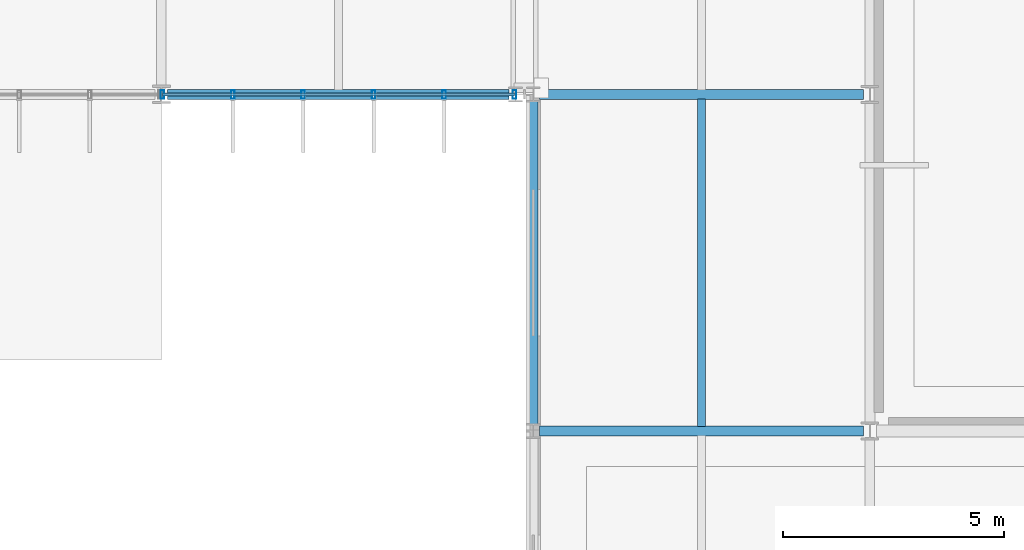
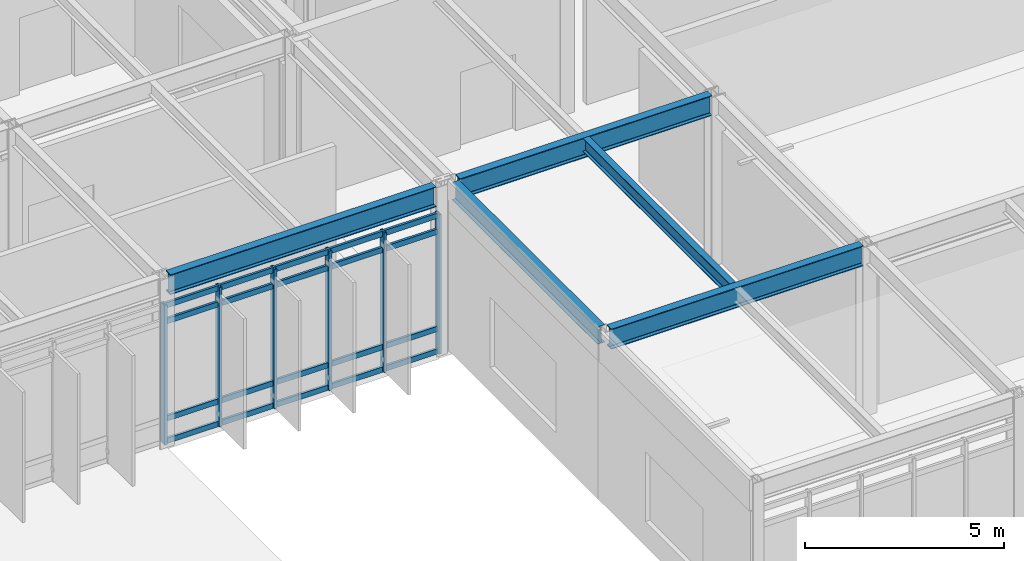
# One storey, part 39 of 94: 10 members, 5 beams, 1 element without a shape of its own.
"""IFC4 building model written with IfcOpenShell, lengths in metres."""

from ifc_helpers import new_model, si_unit, direction, frame, origin, origin_2d, place, context, subcontext, project, spatial, hollow_rectangle, i_section, extrude, material, material_profile, profile_set, type_object, element, aggregate, save


model = new_model("IFC4")

# Units and contexts
model_context = context("Model", 3, precision=1e-05, world=origin(), true_north=direction((0.0, 1.0)))
body_context = subcontext(model_context, "Body", "Model", "MODEL_VIEW")
ifc_project = project(units=[si_unit("LENGTHUNIT", "METRE"), si_unit("AREAUNIT", "SQUARE_METRE"), si_unit("VOLUMEUNIT", "CUBIC_METRE"), si_unit("PLANEANGLEUNIT", "RADIAN"), si_unit("MASSUNIT", "GRAM", prefix="KILO")], contexts=[model_context])

# Site, building, storey
site_placement = place(None, origin())
site = spatial("IfcSite", under=ifc_project, at=site_placement, CompositionType="ELEMENT")
building_placement = place(site_placement, origin())
building = spatial("IfcBuilding", under=site, at=building_placement, Name="Zulena Civic Courthouse", CompositionType="ELEMENT")
storey_placement = place(building_placement, frame((0.0, 0.0, 5.39990234375)))
storey = spatial("IfcBuildingStorey", under=building, at=storey_placement, Name="L01", CompositionType="ELEMENT", Elevation=5.39990234375)

# Curtain wall, members
ifc_material_1 = material(Name="Double-silver low-E laminated solar-control glass", Category="glass")
curtain_wall_type = type_object("IfcCurtainWallType", Name="CW_7952x4280", PredefinedType="USERDEFINED", material=ifc_material_1)
curtain_wall_placement = place(storey_placement, origin())
curtain_wall = element("IfcCurtainWall", 1, at=curtain_wall_placement, inside=storey, type_object=curtain_wall_type, Name="cw:V4:L01:3:0", ObjectType="UNITISED CURTAIN WALL", PredefinedType="USERDEFINED")
ifc_material_2 = material(Name="Bronze anodised thermally broken aluminium AA6063-T6", Category="aluminium")
ifc_material_profile_1 = material_profile(ifc_material_2, hollow_rectangle(XDim=0.080078125, YDim=0.199951171875, WallThickness=0.0048828125, at=origin_2d()), Name="CWM200X80X5")
ifc_profile_set_1 = profile_set([ifc_material_profile_1], Name="Bronze anodised thermally broken aluminium AA6063-T6")
member_type_1 = type_object("IfcMemberType", Name="CWMullion_200x80", PredefinedType="MULLION", material=ifc_profile_set_1)
member_1_placement = place(storey_placement, frame((123.97607421875, 15.199951171875, 0.0), z_axis=(0.0, 0.0, 1.0), x_axis=(1.0, 0.0, 0.0)))
member_1 = element("IfcMember", 2, at=member_1_placement, type_object=member_type_1, Name="cw:V4:L01:3:0:mull:0", PredefinedType="MULLION", context=body_context, shape_type="SweptSolid", body=[
    extrude(hollow_rectangle(XDim=0.080078125, YDim=0.199951171875, WallThickness=0.0048828125, at=origin_2d()), origin(), (0.0, 0.0, 1.0), 4.280029296875),
])
member_2_placement = place(storey_placement, frame((122.385498046875, 15.199951171875, 0.0), z_axis=(0.0, 0.0, 1.0), x_axis=(1.0, 0.0, 0.0)))
member_2 = element("IfcMember", 3, at=member_2_placement, type_object=member_type_1, Name="cw:V4:L01:3:0:mull:1", PredefinedType="MULLION", context=body_context, shape_type="SweptSolid", body=[
    extrude(hollow_rectangle(XDim=0.080078125, YDim=0.199951171875, WallThickness=0.0048828125, at=origin_2d()), origin(), (0.0, 0.0, 1.0), 4.280029296875),
])
member_3_placement = place(storey_placement, frame((120.795166015625, 15.199951171875, 0.0), z_axis=(0.0, 0.0, 1.0), x_axis=(1.0, 0.0, 0.0)))
member_3 = element("IfcMember", 4, at=member_3_placement, type_object=member_type_1, Name="cw:V4:L01:3:0:mull:2", PredefinedType="MULLION", context=body_context, shape_type="SweptSolid", body=[
    extrude(hollow_rectangle(XDim=0.080078125, YDim=0.199951171875, WallThickness=0.0048828125, at=origin_2d()), origin(), (0.0, 0.0, 1.0), 4.280029296875),
])
member_4_placement = place(storey_placement, frame((119.204833984375, 15.199951171875, 0.0), z_axis=(0.0, 0.0, 1.0), x_axis=(1.0, 0.0, 0.0)))
member_4 = element("IfcMember", 5, at=member_4_placement, type_object=member_type_1, Name="cw:V4:L01:3:0:mull:3", PredefinedType="MULLION", context=body_context, shape_type="SweptSolid", body=[
    extrude(hollow_rectangle(XDim=0.080078125, YDim=0.199951171875, WallThickness=0.0048828125, at=origin_2d()), origin(), (0.0, 0.0, 1.0), 4.280029296875),
])
member_5_placement = place(storey_placement, frame((117.614501953125, 15.199951171875, 0.0), z_axis=(0.0, 0.0, 1.0), x_axis=(1.0, 0.0, 0.0)))
member_5 = element("IfcMember", 6, at=member_5_placement, type_object=member_type_1, Name="cw:V4:L01:3:0:mull:4", PredefinedType="MULLION", context=body_context, shape_type="SweptSolid", body=[
    extrude(hollow_rectangle(XDim=0.080078125, YDim=0.199951171875, WallThickness=0.0048828125, at=origin_2d()), origin(), (0.0, 0.0, 1.0), 4.280029296875),
])
member_6_placement = place(storey_placement, frame((116.02392578125, 15.199951171875, 0.0), z_axis=(0.0, 0.0, 1.0), x_axis=(1.0, 0.0, 0.0)))
member_6 = element("IfcMember", 7, at=member_6_placement, type_object=member_type_1, Name="cw:V4:L01:3:0:mull:5", PredefinedType="MULLION", context=body_context, shape_type="SweptSolid", body=[
    extrude(hollow_rectangle(XDim=0.080078125, YDim=0.199951171875, WallThickness=0.0048828125, at=origin_2d()), origin(), (0.0, 0.0, 1.0), 4.280029296875),
])
ifc_material_profile_2 = material_profile(ifc_material_2, hollow_rectangle(XDim=0.070068359375, YDim=0.1650390625, WallThickness=0.00390625, at=origin_2d()), Name="CWT165X70X4")
ifc_profile_set_2 = profile_set([ifc_material_profile_2], Name="Bronze anodised thermally broken aluminium AA6063-T6")
member_type_2 = type_object("IfcMemberType", Name="CWTransom_165x70", PredefinedType="USERDEFINED", material=ifc_profile_set_2)
member_7_placement = place(storey_placement, frame((123.97607421875, 15.199951171875, 0.06005859375), z_axis=(-1.0, 0.0, 0.0), x_axis=(0.0, -1.0, 0.0)))
member_7 = element("IfcMember", 8, at=member_7_placement, type_object=member_type_2, Name="cw:V4:L01:3:0:tran:0", ObjectType="TRANSOM", PredefinedType="USERDEFINED", context=body_context, shape_type="SweptSolid", body=[
    extrude(hollow_rectangle(XDim=0.070068359375, YDim=0.1650390625, WallThickness=0.00390625, at=origin_2d()), origin(), (0.0, 0.0, 1.0), 7.9521484375),
])
member_8_placement = place(storey_placement, frame((123.97607421875, 15.199951171875, 0.75), z_axis=(-1.0, 0.0, 0.0), x_axis=(0.0, -1.0, 0.0)))
member_8 = element("IfcMember", 9, at=member_8_placement, type_object=member_type_2, Name="cw:V4:L01:3:0:tran:1", ObjectType="TRANSOM", PredefinedType="USERDEFINED", context=body_context, shape_type="SweptSolid", body=[
    extrude(hollow_rectangle(XDim=0.070068359375, YDim=0.1650390625, WallThickness=0.00390625, at=origin_2d()), origin(), (0.0, 0.0, 1.0), 7.9521484375),
])
member_9_placement = place(storey_placement, frame((123.97607421875, 15.199951171875, 3.72998046875), z_axis=(-1.0, 0.0, 0.0), x_axis=(0.0, -1.0, 0.0)))
member_9 = element("IfcMember", 10, at=member_9_placement, type_object=member_type_2, Name="cw:V4:L01:3:0:tran:2", ObjectType="TRANSOM", PredefinedType="USERDEFINED", context=body_context, shape_type="SweptSolid", body=[
    extrude(hollow_rectangle(XDim=0.070068359375, YDim=0.1650390625, WallThickness=0.00390625, at=origin_2d()), origin(), (0.0, 0.0, 1.0), 7.9521484375),
])
member_10_placement = place(storey_placement, frame((123.97607421875, 15.199951171875, 4.22021484375), z_axis=(-1.0, 0.0, 0.0), x_axis=(0.0, -1.0, 0.0)))
member_10 = element("IfcMember", 11, at=member_10_placement, type_object=member_type_2, Name="cw:V4:L01:3:0:tran:3", ObjectType="TRANSOM", PredefinedType="USERDEFINED", context=body_context, shape_type="SweptSolid", body=[
    extrude(hollow_rectangle(XDim=0.070068359375, YDim=0.1650390625, WallThickness=0.00390625, at=origin_2d()), origin(), (0.0, 0.0, 1.0), 7.9521484375),
])
aggregate(curtain_wall, [member_1, member_2, member_3, member_4, member_5, member_6, member_7, member_8, member_9, member_10])

# Beams
ifc_material_3 = material(Name="Steel ASTM A992 Grade 50", Category="steel")
ifc_material_profile_3 = material_profile(ifc_material_3, i_section(OverallWidth=0.180908203125, OverallDepth=0.4169921875, WebThickness=0.010986328125, FlangeThickness=0.018310546875, FilletRadius=0.01025390625, at=origin_2d()), Name="W16X57")
ifc_profile_set_3 = profile_set([ifc_material_profile_3], Name="Steel ASTM A992 Grade 50")
beam_type_1 = type_object("IfcBeamType", Name="Joist_W16X57", PredefinedType="JOIST", material=ifc_profile_set_3)
beam_1_placement = place(storey_placement, frame((128.199951171875, 7.705078125, 4.9765625), z_axis=(0.0, 1.0, 0.0), x_axis=(-1.0, 0.0, 0.0)))
element("IfcBeam", 12, at=beam_1_placement, inside=storey, type_object=beam_type_1, Name="joist:V1:L01:128.20:7.6_15.2", PredefinedType="JOIST", context=body_context, shape_type="SweptSolid", body=[
    extrude(i_section(OverallWidth=0.180908203125, OverallDepth=0.4169921875, WebThickness=0.010986328125, FlangeThickness=0.018310546875, FilletRadius=0.01025390625, at=origin_2d()), origin(), (0.0, 0.0, 1.0), 7.389892578125),
])
ifc_material_profile_4 = material_profile(ifc_material_3, i_section(OverallWidth=0.2099609375, OverallDepth=0.537109375, WebThickness=0.010986328125, FlangeThickness=0.017333984375, FilletRadius=0.0126953125, at=origin_2d()), Name="W21X68")
ifc_profile_set_4 = profile_set([ifc_material_profile_4], Name="Steel ASTM A992 Grade 50")
beam_type_2 = type_object("IfcBeamType", Name="Spandrel_W21X68", PredefinedType="SPANDREL", material=ifc_profile_set_4)
beam_2_placement = place(storey_placement, frame((124.39990234375, 7.7451171875, 4.91650390625), z_axis=(0.0, 1.0, 0.0), x_axis=(-1.0, 0.0, 0.0)))
element("IfcBeam", 13, at=beam_2_placement, inside=storey, type_object=beam_type_2, Name="beam:Y:V1:L01:124.4:7.6_15.2", PredefinedType="SPANDREL", context=body_context, shape_type="SweptSolid", body=[
    extrude(i_section(OverallWidth=0.2099609375, OverallDepth=0.537109375, WebThickness=0.010986328125, FlangeThickness=0.017333984375, FilletRadius=0.0126953125, at=origin_2d()), origin(), (0.0, 0.0, 1.0), 7.309814453125),
])
ifc_material_profile_5 = material_profile(ifc_material_3, i_section(OverallWidth=0.22998046875, OverallDepth=0.616943359375, WebThickness=0.01318359375, FlangeThickness=0.022216796875, FilletRadius=0.0126953125, at=origin_2d()), Name="W24X94")
ifc_profile_set_5 = profile_set([ifc_material_profile_5], Name="Steel ASTM A992 Grade 50")
beam_type_3 = type_object("IfcBeamType", Name="Spandrel_W24X94", PredefinedType="SPANDREL", material=ifc_profile_set_5)
for number, where, z_axis, x_axis, name in (
    (14, (124.544921875, 7.60009765625, 4.876708984375), (1.0, 0.0, 0.0), (0.0, 1.0, 0.0), "beam:X:V1:L01:7.6:124.4_132.0"),
    (15, (124.544921875, 15.199951171875, 4.876708984375), (1.0, 0.0, 0.0), (0.0, 1.0, 0.0), "beam:X:V1:L01:15.2:124.4_132.0"),
):
    element("IfcBeam", number, at=place(storey_placement, frame(where, z_axis=z_axis, x_axis=x_axis)), inside=storey, type_object=beam_type_3, Name=name, PredefinedType="SPANDREL", context=body_context, shape_type="SweptSolid", body=[
        extrude(i_section(OverallWidth=0.22998046875, OverallDepth=0.616943359375, WebThickness=0.01318359375, FlangeThickness=0.022216796875, FilletRadius=0.0126953125, at=origin_2d()), origin(), (0.0, 0.0, 1.0), 7.31005859375),
    ])
beam_3_placement = place(storey_placement, frame((116.14501953125, 15.199951171875, 4.876708984375), z_axis=(1.0, 0.0, 0.0), x_axis=(0.0, 1.0, 0.0)))
element("IfcBeam", 16, at=beam_3_placement, inside=storey, type_object=beam_type_3, Name="beam:X:V4:L01:15.2:116.0_124.0", PredefinedType="SPANDREL", context=body_context, shape_type="SweptSolid", body=[
    extrude(i_section(OverallWidth=0.22998046875, OverallDepth=0.616943359375, WebThickness=0.01318359375, FlangeThickness=0.022216796875, FilletRadius=0.0126953125, at=origin_2d()), origin(), (0.0, 0.0, 1.0), 7.7099609375),
])

save(model, "model.ifc")
